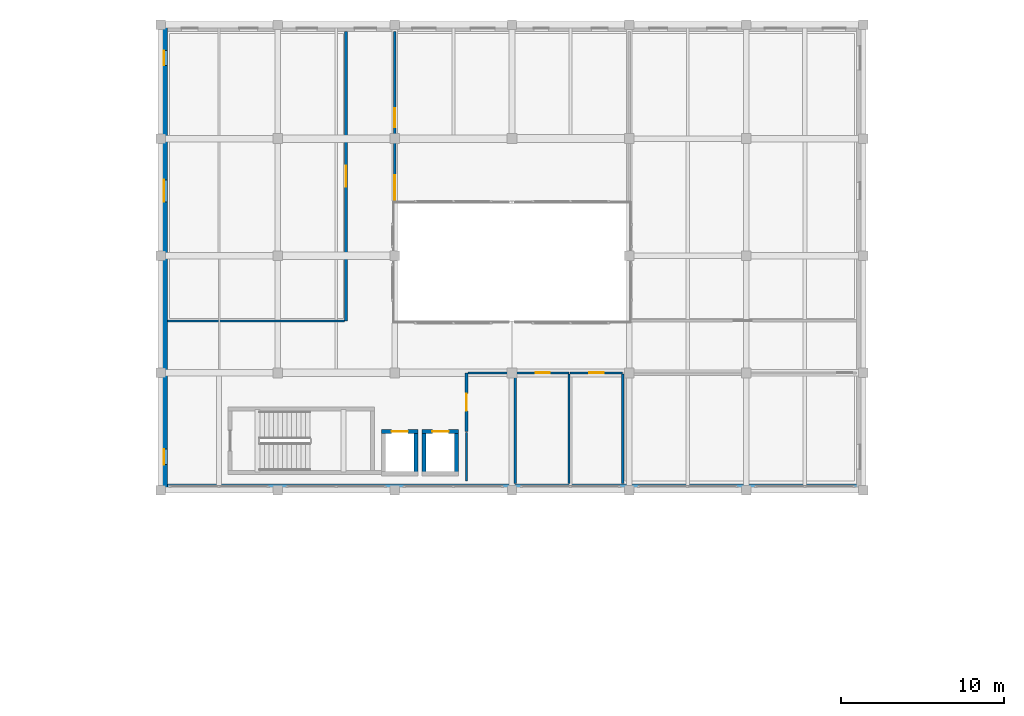
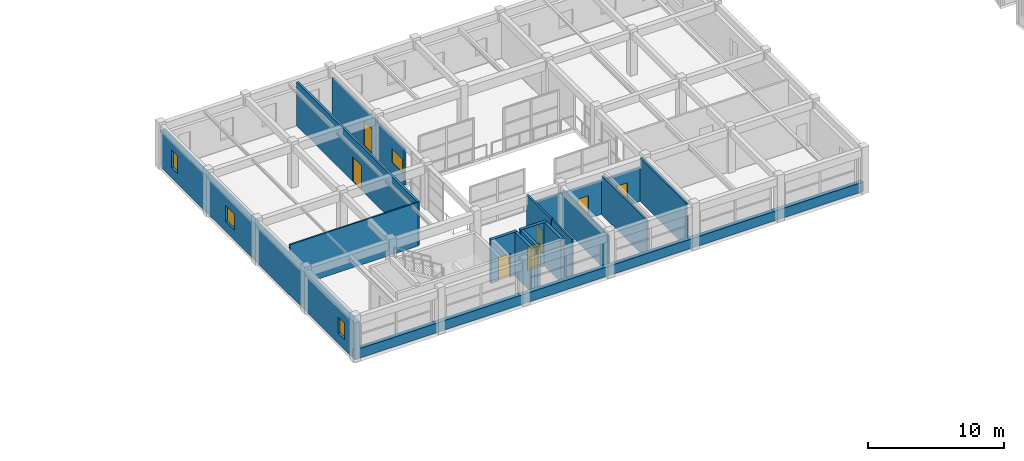
# One storey, part 32 of 49: 18 walls, 7 doors, 4 windows, 11 openings.
"""IFC4 building model written with IfcOpenShell, lengths in metres."""

import ifcopenshell
import ifcopenshell.guid

model = None  # the IFC model being written
_history = None  # IfcOwnerHistory: only IFC2X3 demands one
_inside = {}  # id of a spatial element -> (the spatial element, [elements in it])
_under = {}  # id of a project, library or spatial element -> (it, [spatial elements below it])
_declared = {}  # id of a project -> (the project, [libraries it declares])
_typed = {}  # id of a type object -> (the type object, [elements of that type])
_made_of = {}  # id of a material, layer set ... -> (it, [elements and type objects made of it])


def new_model(schema):
    """Start an empty IFC model of exactly this schema.

    Asked for "IFC4X3", IfcOpenShell would pick the latest addendum, in which some entities
    have other attributes; the version numbers below select the first issue.
    IFC2X3 requires an IfcOwnerHistory on every rooted entity: one is made here for all.
    """
    global model, _history
    if schema == "IFC4X3":
        model = ifcopenshell.file(schema_version=(4, 3, 0, 0))
    else:
        model = ifcopenshell.file(schema=schema)
    _inside.clear()
    _under.clear()
    _declared.clear()
    _typed.clear()
    _made_of.clear()
    _history = None
    if model.schema == "IFC2X3":
        org = make("IfcOrganization", Name="unknown")
        user = make(
            "IfcPersonAndOrganization",
            ThePerson=make("IfcPerson", FamilyName="unknown"),
            TheOrganization=org,
        )
        app = make(
            "IfcApplication",
            ApplicationDeveloper=org,
            Version="unknown",
            ApplicationFullName="unknown",
            ApplicationIdentifier="unknown",
        )
        _history = make(
            "IfcOwnerHistory",
            OwningUser=user,
            OwningApplication=app,
            ChangeAction="ADDED",
            CreationDate=0,
        )
    return model


def make(cls, **values):
    """One entity of the class cls with the attributes given. An attribute that is None is left unset."""
    return model.create_entity(
        cls, **{name: value for name, value in values.items() if value is not None}
    )


def rooted(cls, **values):
    """An entity with a GlobalId (a new one), such as an element, a storey or a relation."""
    return make(cls, GlobalId=ifcopenshell.guid.new(), OwnerHistory=_history, **values)


def si_unit(unit_type, name, prefix=None):
    """IfcSIUnit, for example si_unit("LENGTHUNIT", "METRE", prefix="MILLI")."""
    return make("IfcSIUnit", UnitType=unit_type, Prefix=prefix, Name=name)


def assignment(units):
    """IfcUnitAssignment: the units of a project."""
    return None if units is None else make("IfcUnitAssignment", Units=units)


def point(xyz):
    """IfcCartesianPoint."""
    return None if xyz is None else make("IfcCartesianPoint", Coordinates=xyz)


def direction(xyz):
    """IfcDirection."""
    return None if xyz is None else make("IfcDirection", DirectionRatios=xyz)


def frame(location, z_axis=None, x_axis=None):
    """IfcAxis2Placement3D, a coordinate frame: its origin and axes. An axis left out is left unset."""
    return make(
        "IfcAxis2Placement3D",
        Location=point(location),
        Axis=direction(z_axis),
        RefDirection=direction(x_axis),
    )


def frame_2d(location, x_axis=None):
    """IfcAxis2Placement2D, a coordinate frame in the plane: its origin and x axis."""
    return make(
        "IfcAxis2Placement2D", Location=point(location), RefDirection=direction(x_axis)
    )


def origin():
    """The frame at (0, 0, 0) with its axes left unset."""
    return frame((0.0, 0.0, 0.0))


def place(relative_to, where):
    """IfcLocalPlacement: puts the frame where relative to a parent placement (None: the world)."""
    return make(
        "IfcLocalPlacement", PlacementRelTo=relative_to, RelativePlacement=where
    )


def context(
    kind, dimensions, precision=None, world=None, true_north=None, identifier=None
):
    """IfcGeometricRepresentationContext, for example the 3D "Model" context."""
    return make(
        "IfcGeometricRepresentationContext",
        ContextIdentifier=identifier,
        ContextType=kind,
        CoordinateSpaceDimension=dimensions,
        Precision=precision,
        WorldCoordinateSystem=world,
        TrueNorth=true_north,
    )


def subcontext(parent, identifier, kind, view, scale=None):
    """IfcGeometricRepresentationSubContext, for example "Body" below "Model"."""
    return make(
        "IfcGeometricRepresentationSubContext",
        ContextIdentifier=identifier,
        ContextType=kind,
        ParentContext=parent,
        TargetScale=scale,
        TargetView=view,
    )


def project(units=None, contexts=None):
    """IfcProject with its units and contexts."""
    return rooted(
        "IfcProject",
        Name="project",
        RepresentationContexts=contexts,
        UnitsInContext=assignment(units),
    )


def spatial(cls, under=None, at=None, **own):
    """A site, building, storey or space (cls), placed at a placement, below another one or the project."""
    s = rooted(cls, ObjectPlacement=at, **own)
    if under is not None:
        _under.setdefault(under.id(), (under, []))[1].append(s)
    return s


def profile(cls, at=None, kind="AREA", **sizes):
    """A parametric profile (cls). Its sizes go by their IFC names, for example OverallWidth=200.0."""
    return make(cls, ProfileType=kind, Position=at, **sizes)


def rectangle(**sizes):
    """IfcRectangleProfileDef."""
    return profile("IfcRectangleProfileDef", **sizes)


def extrude(swept, where, along, depth):
    """IfcExtrudedAreaSolid: the profile swept, set in the frame where, extruded along a direction by depth."""
    return make(
        "IfcExtrudedAreaSolid",
        SweptArea=swept,
        Position=where,
        ExtrudedDirection=direction(along),
        Depth=depth,
    )


def shape(context_of_items, identifier, shape_type, items):
    """IfcShapeRepresentation: the items that make up one representation, for example the "Body"."""
    return make(
        "IfcShapeRepresentation",
        ContextOfItems=context_of_items,
        RepresentationIdentifier=identifier,
        RepresentationType=shape_type,
        Items=items,
    )


def material(Name=None, Category=None):
    """IfcMaterial."""
    return make("IfcMaterial", Name=Name, Category=Category)


def layer(
    of_material, thickness, ventilated=None, Name=None, Category=None, Priority=None
):
    """IfcMaterialLayer: one layer of a wall or slab, of a material (None: an air gap)."""
    return make(
        "IfcMaterialLayer",
        Material=of_material,
        LayerThickness=thickness,
        IsVentilated=ventilated,
        Name=Name,
        Category=Category,
        Priority=Priority,
    )


def layer_set(layers, Name=None):
    """IfcMaterialLayerSet."""
    return make("IfcMaterialLayerSet", MaterialLayers=layers, LayerSetName=Name)


def made_of(thing, what):
    """Note that an element or type object is made of a material, layer set ...; save() writes the relation."""
    if what is not None:
        _made_of.setdefault(what.id(), (what, []))[1].append(thing)
    return thing


def type_object(cls, material=None, **own):
    """A type object (cls), such as IfcWallType, which elements share."""
    return made_of(rooted(cls, **own), material)


def element(
    cls,
    number,
    at=None,
    inside=None,
    cuts=None,
    type_object=None,
    material=None,
    context=None,
    identifier="Body",
    shape_type=None,
    held_by="IfcProductDefinitionShape",
    body=None,
    shapes=None,
    **own,
):
    """One element of the class cls, such as IfcWall. Its Tag is "e" and its number.

    at: its placement. inside: the storey or other place that contains it. cuts: it is an
    opening in that element (IfcRelVoidsElement). A single representation is given by context,
    identifier, shape_type and body (its items); several are given by shapes. held_by: the class
    of the entity that holds the representations. save() writes the other relations.
    """
    e = rooted(cls, Tag="e%d" % number, ObjectPlacement=at, **own)
    if body is not None:
        shapes = [shape(context, identifier, shape_type, body)]
    if shapes is not None:
        e.Representation = make(held_by, Representations=shapes)
    if inside is not None:
        _inside.setdefault(inside.id(), (inside, []))[1].append(e)
    if cuts is not None:
        rooted(
            "IfcRelVoidsElement", RelatingBuildingElement=cuts, RelatedOpeningElement=e
        )
    if type_object is not None:
        _typed.setdefault(type_object.id(), (type_object, []))[1].append(e)
    return made_of(e, material)


def fill(opening, filler):
    """IfcRelFillsElement: the door or window that sits in an opening."""
    return rooted(
        "IfcRelFillsElement",
        RelatingOpeningElement=opening,
        RelatedBuildingElement=filler,
    )


def aggregate(whole, parts):
    """IfcRelAggregates: a whole, such as a stair, and the parts it consists of."""
    return rooted("IfcRelAggregates", RelatingObject=whole, RelatedObjects=parts)


def save(model, path):
    """Write the relations noted so far, then the file.

    IfcRelAggregates (storeys below a building ...), IfcRelContainedInSpatialStructure (elements
    in a storey), IfcRelDefinesByType, IfcRelAssociatesMaterial and IfcRelDeclares: one each for
    every whole, place, type object, material and project.
    """
    for whole, parts in _under.values():
        aggregate(whole, parts)
    for where, things in _inside.values():
        rooted(
            "IfcRelContainedInSpatialStructure",
            RelatedElements=things,
            RelatingStructure=where,
        )
    for kind, things in _typed.values():
        rooted("IfcRelDefinesByType", RelatedObjects=things, RelatingType=kind)
    for what, things in _made_of.values():
        rooted("IfcRelAssociatesMaterial", RelatedObjects=things, RelatingMaterial=what)
    for by, libraries in _declared.values():
        rooted("IfcRelDeclares", RelatingContext=by, RelatedDefinitions=libraries)
    model.write(path)


model = new_model("IFC4")

# Units and contexts
model_context = context("Model", 3, precision=1e-05, world=origin(), true_north=direction((0.0, 1.0)))
body_context = subcontext(model_context, "Body", "Model", "MODEL_VIEW")
ifc_project = project(units=[si_unit("LENGTHUNIT", "METRE"), si_unit("AREAUNIT", "SQUARE_METRE"), si_unit("VOLUMEUNIT", "CUBIC_METRE"), si_unit("PLANEANGLEUNIT", "RADIAN"), si_unit("MASSUNIT", "GRAM", prefix="KILO")], contexts=[model_context])

# Site, building, storey
site_placement = place(None, origin())
site = spatial("IfcSite", under=ifc_project, at=site_placement, CompositionType="ELEMENT")
building_placement = place(site_placement, origin())
building = spatial("IfcBuilding", under=site, at=building_placement, Name="Bramveld Media Centre", CompositionType="ELEMENT")
storey_placement = place(building_placement, frame((0.0, 0.0, 9.60009765625)))
storey = spatial("IfcBuildingStorey", under=building, at=storey_placement, Name="L02", CompositionType="ELEMENT", Elevation=9.60009765625)

# Wall, opening, door
ifc_material_1 = material(Name="Concrete C40/50 stair & lift core wall", Category="concrete")
ifc_layer_1 = layer(ifc_material_1, 0.25)
ifc_layer_set_1 = layer_set([ifc_layer_1], Name="Concrete C40/50 stair & lift core wall")
wall_type_1 = type_object("IfcWallType", Name="CWALL-SHEAR-250", PredefinedType="SHEAR", material=ifc_layer_set_1)
wall_1_placement = place(storey_placement, frame((81.425048828125, 94.0, 0.0), z_axis=(0.0, 0.0, 1.0), x_axis=(-1.0, 0.0, 0.0)))
wall_1 = element("IfcWall", 1, at=wall_1_placement, inside=storey, type_object=wall_type_1, Name="PL-04 L02 lift shaft wall N", PredefinedType="SHEAR", context=body_context, shape_type="SweptSolid", body=[
    extrude(rectangle(XDim=2.25, YDim=0.25, at=frame_2d((1.125, 0.0))), origin(), (0.0, 0.0, 1.0), 3.919921875),
])
opening_1_placement = place(wall_1_placement, frame((0.625, 0.0, 0.0)))
opening_1 = element("IfcOpeningElement", 2, at=opening_1_placement, cuts=wall_1, Name="Opening LD-02-04-L02", PredefinedType="OPENING", context=body_context, shape_type="SweptSolid", body=[
    extrude(rectangle(XDim=1.0, YDim=2.14990234375, at=frame_2d((0.5, 1.074951171875))), frame((0.0, 0.136962890625, 0.0), z_axis=(0.0, -1.0, 0.0), x_axis=(1.0, 0.0, 0.0)), (0.0, 0.0, 1.0), 0.27392578125),
])
ifc_material_2 = material(Name="Brushed stainless steel automatic fire-rated sliding lift landing door", Category="steel")
door_type_1 = type_object("IfcDoorType", Name="LD-TYPE-02", OperationType="SLIDING_TO_LEFT", PredefinedType="DOOR", material=ifc_material_2)
door_1_placement = place(opening_1_placement, origin())
door_1 = element("IfcDoor", 3, at=door_1_placement, inside=storey, type_object=door_type_1, Name="PL-04 L02 sliding lift landing door", OperationType="SLIDING_TO_LEFT", OverallHeight=2.14990234375, OverallWidth=1.0, PredefinedType="DOOR", context=body_context, shape_type="SweptSolid", body=[
    extrude(rectangle(XDim=1.0, YDim=2.14990234375, at=frame_2d((0.5, 1.074951171875))), frame((0.0, 0.02490234375, 0.0), z_axis=(0.0, -1.0, 0.0), x_axis=(1.0, 0.0, 0.0)), (0.0, 0.0, 1.0), 0.050048828125),
])
fill(opening_1, door_1)

# Wall
wall_2_placement = place(storey_placement, frame((81.300048828125, 91.39990234375, 0.0), z_axis=(0.0, 0.0, 1.0), x_axis=(0.0, 1.0, 0.0)))
element("IfcWall", 4, at=wall_2_placement, inside=storey, type_object=wall_type_1, Name="PL-04 L02 lift shaft wall E", PredefinedType="SHEAR", context=body_context, shape_type="SweptSolid", body=[
    extrude(rectangle(XDim=2.60009765625, YDim=0.25, at=frame_2d((1.300048828125, 0.0))), origin(), (0.0, 0.0, 1.0), 3.919921875),
])

# Wall, opening, door
wall_3_placement = place(storey_placement, frame((83.925048828125, 94.0, 0.0), z_axis=(0.0, 0.0, 1.0), x_axis=(-1.0, 0.0, 0.0)))
wall_3 = element("IfcWall", 5, at=wall_3_placement, inside=storey, type_object=wall_type_1, Name="PL-03 L02 lift shaft wall N", PredefinedType="SHEAR", context=body_context, shape_type="SweptSolid", body=[
    extrude(rectangle(XDim=2.25, YDim=0.25, at=frame_2d((1.125, 0.0))), origin(), (0.0, 0.0, 1.0), 3.919921875),
])
opening_2_placement = place(wall_3_placement, frame((0.625, 0.0, 0.0)))
opening_2 = element("IfcOpeningElement", 6, at=opening_2_placement, cuts=wall_3, Name="Opening LD-02-03-L02", PredefinedType="OPENING", context=body_context, shape_type="SweptSolid", body=[
    extrude(rectangle(XDim=1.0, YDim=2.14990234375, at=frame_2d((0.5, 1.074951171875))), frame((0.0, 0.136962890625, 0.0), z_axis=(0.0, -1.0, 0.0), x_axis=(1.0, 0.0, 0.0)), (0.0, 0.0, 1.0), 0.27392578125),
])
door_2_placement = place(opening_2_placement, origin())
door_2 = element("IfcDoor", 7, at=door_2_placement, inside=storey, type_object=door_type_1, Name="PL-03 L02 sliding lift landing door", OperationType="SLIDING_TO_LEFT", OverallHeight=2.14990234375, OverallWidth=1.0, PredefinedType="DOOR", context=body_context, shape_type="SweptSolid", body=[
    extrude(rectangle(XDim=1.0, YDim=2.14990234375, at=frame_2d((0.5, 1.074951171875))), frame((0.0, 0.02490234375, 0.0), z_axis=(0.0, -1.0, 0.0), x_axis=(1.0, 0.0, 0.0)), (0.0, 0.0, 1.0), 0.050048828125),
])
fill(opening_2, door_2)

# Walls
for number, where, z_axis, x_axis, name in (
    (8, (81.800048828125, 94.0, 0.0), (0.0, 0.0, 1.0), (0.0, -1.0, 0.0), "PL-03 L02 lift shaft wall W"),
    (9, (83.800048828125, 91.39990234375, 0.0), (0.0, 0.0, 1.0), (0.0, 1.0, 0.0), "PL-03 L02 lift shaft wall E"),
):
    element("IfcWall", number, at=place(storey_placement, frame(where, z_axis=z_axis, x_axis=x_axis)), inside=storey, type_object=wall_type_1, Name=name, PredefinedType="SHEAR", context=body_context, shape_type="SweptSolid", body=[
        extrude(rectangle(XDim=2.60009765625, YDim=0.25, at=frame_2d((1.300048828125, 0.0))), origin(), (0.0, 0.0, 1.0), 3.919921875),
    ])
ifc_material_3 = material(Name="Perforated acoustic brick-faced insulated spandrel wall", Category="masonry")
ifc_layer_2 = layer(ifc_material_3, 0.35009765625)
ifc_layer_set_2 = layer_set([ifc_layer_2], Name="Perforated acoustic brick-faced insulated spandrel wall")
wall_type_2 = type_object("IfcWallType", Name="EW-BRK-350", PredefinedType="SOLIDWALL", material=ifc_layer_set_2)
wall_4_placement = place(storey_placement, frame((108.800048828125, 90.610107421875, 0.0), z_axis=(0.0, 0.0, 1.0), x_axis=(-1.0, 0.0, 0.0)))
element("IfcWall", 10, at=wall_4_placement, inside=storey, type_object=wall_type_2, Name="V6 L02 S masonry spandrel sill wall", PredefinedType="SOLIDWALL", context=body_context, shape_type="SweptSolid", body=[
    extrude(rectangle(XDim=43.199951171875, YDim=0.35009765625, at=frame_2d((21.60009765625, 0.0))), origin(), (0.0, 0.0, 1.0), 0.849853515625),
])

# Wall, openings, windows
ifc_material_4 = material(Name="Flemish red-brown clay facing brick cavity wall with concrete C35/45 inner leaf", Category="masonry")
ifc_layer_3 = layer(ifc_material_4, 0.419921875)
ifc_layer_set_3 = layer_set([ifc_layer_3], Name="Flemish red-brown clay facing brick cavity wall with concrete C35/45 inner leaf")
wall_type_3 = type_object("IfcWallType", Name="EW-BRK-420", PredefinedType="SOLIDWALL", material=ifc_layer_set_3)
wall_5_placement = place(storey_placement, frame((65.81005859375, 90.39990234375, 0.0), z_axis=(0.0, 0.0, 1.0), x_axis=(0.0, 1.0, 0.0)))
wall_5 = element("IfcWall", 11, at=wall_5_placement, inside=storey, type_object=wall_type_3, Name="V6 L02 W facing brick exterior wall", PredefinedType="SOLIDWALL", context=body_context, shape_type="SweptSolid", body=[
    extrude(rectangle(XDim=28.60009765625, YDim=0.419921875, at=frame_2d((14.300048828125, 0.0))), origin(), (0.0, 0.0, 1.0), 3.31494140625),
])
opening_3_placement = place(wall_5_placement, frame((1.56787109375, 0.0, 0.89990234375)))
opening_3 = element("IfcOpeningElement", 12, at=opening_3_placement, cuts=wall_5, Name="Opening W-07", PredefinedType="OPENING", context=body_context, shape_type="SweptSolid", body=[
    extrude(rectangle(XDim=0.949951171875, YDim=1.449951171875, at=frame_2d((0.47509765625, 0.72509765625))), frame((0.0, 0.221923828125, 0.0), z_axis=(0.0, -1.0, 0.0), x_axis=(1.0, 0.0, 0.0)), (0.0, 0.0, 1.0), 0.44384765625),
])
opening_4_placement = place(wall_5_placement, frame((17.710693359375, 0.0, 0.89990234375)))
opening_4 = element("IfcOpeningElement", 13, at=opening_4_placement, cuts=wall_5, Name="Opening W-11", PredefinedType="OPENING", context=body_context, shape_type="SweptSolid", body=[
    extrude(rectangle(XDim=1.35009765625, YDim=1.449951171875, at=frame_2d((0.675048828125, 0.72509765625))), frame((0.0, 0.221923828125, 0.0), z_axis=(0.0, -1.0, 0.0), x_axis=(1.0, 0.0, 0.0)), (0.0, 0.0, 1.0), 0.44384765625),
])
opening_5_placement = place(wall_5_placement, frame((26.107177734375, 0.0, 0.89990234375)))
opening_5 = element("IfcOpeningElement", 14, at=opening_5_placement, cuts=wall_5, Name="Opening W-13", PredefinedType="OPENING", context=body_context, shape_type="SweptSolid", body=[
    extrude(rectangle(XDim=0.89990234375, YDim=1.60009765625, at=frame_2d((0.449951171875, 0.800048828125))), frame((0.0, 0.221923828125, 0.0), z_axis=(0.0, -1.0, 0.0), x_axis=(1.0, 0.0, 0.0)), (0.0, 0.0, 1.0), 0.44384765625),
])
ifc_material_5 = material(Name="Thermally broken anodized bronze aluminium frame with triple acoustic glazing", Category="aluminium")
window_type_1 = type_object("IfcWindowType", Name="WIN-FAC-07", PartitioningType="SINGLE_PANEL", PredefinedType="WINDOW", material=ifc_material_5)
window_1_placement = place(opening_3_placement, origin())
window_1 = element("IfcWindow", 15, at=window_1_placement, inside=storey, type_object=window_type_1, Name="V6 L02 W acoustic facade window", OverallHeight=1.449951171875, OverallWidth=0.949951171875, PartitioningType="SINGLE_PANEL", PredefinedType="WINDOW", context=body_context, shape_type="SweptSolid", body=[
    extrude(rectangle(XDim=0.949951171875, YDim=1.449951171875, at=frame_2d((0.47509765625, 0.72509765625))), frame((0.0, 0.030029296875, 0.0), z_axis=(0.0, -1.0, 0.0), x_axis=(1.0, 0.0, 0.0)), (0.0, 0.0, 1.0), 0.06005859375),
])
fill(opening_3, window_1)
ifc_material_6 = material(Name="Thermally broken anodized bronze aluminium frame with triple acoustic glazing", Category="aluminium")
window_type_2 = type_object("IfcWindowType", Name="WIN-FAC-11", PartitioningType="SINGLE_PANEL", PredefinedType="WINDOW", material=ifc_material_6)
window_2_placement = place(opening_4_placement, origin())
window_2 = element("IfcWindow", 16, at=window_2_placement, inside=storey, type_object=window_type_2, Name="V6 L02 W acoustic facade window", OverallHeight=1.449951171875, OverallWidth=1.35009765625, PartitioningType="SINGLE_PANEL", PredefinedType="WINDOW", context=body_context, shape_type="SweptSolid", body=[
    extrude(rectangle(XDim=1.35009765625, YDim=1.449951171875, at=frame_2d((0.675048828125, 0.72509765625))), frame((0.0, 0.030029296875, 0.0), z_axis=(0.0, -1.0, 0.0), x_axis=(1.0, 0.0, 0.0)), (0.0, 0.0, 1.0), 0.06005859375),
])
fill(opening_4, window_2)
ifc_material_7 = material(Name="Thermally broken anodized bronze aluminium frame with triple acoustic glazing", Category="aluminium")
window_type_3 = type_object("IfcWindowType", Name="WIN-FAC-13", PartitioningType="SINGLE_PANEL", PredefinedType="WINDOW", material=ifc_material_7)
window_3_placement = place(opening_5_placement, origin())
window_3 = element("IfcWindow", 17, at=window_3_placement, inside=storey, type_object=window_type_3, Name="V6 L02 W acoustic facade window", OverallHeight=1.60009765625, OverallWidth=0.89990234375, PartitioningType="SINGLE_PANEL", PredefinedType="WINDOW", context=body_context, shape_type="SweptSolid", body=[
    extrude(rectangle(XDim=0.89990234375, YDim=1.60009765625, at=frame_2d((0.449951171875, 0.800048828125))), frame((0.0, 0.030029296875, 0.0), z_axis=(0.0, -1.0, 0.0), x_axis=(1.0, 0.0, 0.0)), (0.0, 0.0, 1.0), 0.06005859375),
])
fill(opening_5, window_3)

# Wall, opening, door
ifc_material_8 = material(Name="Fire-rated twin-frame gypsum corridor wall", Category="gypsum")
ifc_layer_4 = layer(ifc_material_8, 0.179931640625)
ifc_layer_set_4 = layer_set([ifc_layer_4], Name="Fire-rated twin-frame gypsum corridor wall")
wall_type_4 = type_object("IfcWallType", Name="IW-FIRE-180", PredefinedType="PARTITIONING", material=ifc_layer_set_4)
wall_6_placement = place(storey_placement, frame((84.39990234375, 94.0, 0.0), z_axis=(0.0, 0.0, 1.0), x_axis=(0.0, 1.0, 0.0)))
wall_6 = element("IfcWall", 18, at=wall_6_placement, inside=storey, type_object=wall_type_4, Name="Exhibition Lift Lobby L02 partition wall", PredefinedType="PARTITIONING", context=body_context, shape_type="SweptSolid", body=[
    extrude(rectangle(XDim=3.60009765625, YDim=0.179931640625, at=frame_2d((1.800048828125, 0.0))), origin(), (0.0, 0.0, 1.0), 3.919921875),
])
opening_6_placement = place(wall_6_placement, frame((1.27001953125, 0.0, 0.0)))
opening_6 = element("IfcOpeningElement", 19, at=opening_6_placement, cuts=wall_6, Name="Opening D-02-125", PredefinedType="OPENING", context=body_context, shape_type="SweptSolid", body=[
    extrude(rectangle(XDim=1.06005859375, YDim=2.10009765625, at=frame_2d((0.530029296875, 1.050048828125))), frame((0.0, 0.10205078125, 0.0), z_axis=(0.0, -1.0, 0.0), x_axis=(1.0, 0.0, 0.0)), (0.0, 0.0, 1.0), 0.203857421875),
])
ifc_material_9 = material(Name="Solid-core European oak acoustic timber leaf in steel frame", Category="steel")
door_type_2 = type_object("IfcDoorType", Name="DR-WC-PMR-1060", OperationType="NOTDEFINED", PredefinedType="DOOR", material=ifc_material_9)
door_3_placement = place(opening_6_placement, origin())
door_3 = element("IfcDoor", 20, at=door_3_placement, inside=storey, type_object=door_type_2, Name="Accessible WC entrance door", OperationType="SINGLE_SWING_RIGHT", OverallHeight=2.10009765625, OverallWidth=1.06005859375, PredefinedType="DOOR", context=body_context, shape_type="SweptSolid", body=[
    extrude(rectangle(XDim=1.06005859375, YDim=2.10009765625, at=frame_2d((0.530029296875, 1.050048828125))), frame((0.0, 0.02490234375, 0.0), z_axis=(0.0, -1.0, 0.0), x_axis=(1.0, 0.0, 0.0)), (0.0, 0.0, 1.0), 0.050048828125),
])
fill(opening_6, door_3)

wall_7_placement = place(storey_placement, frame((77.0, 100.800048828125, 0.0), z_axis=(0.0, 0.0, 1.0), x_axis=(0.0, 1.0, 0.0)))
wall_7 = element("IfcWall", 21, at=wall_7_placement, inside=storey, type_object=wall_type_4, Name="West Sound Lab Corridor partition wall", PredefinedType="PARTITIONING", context=body_context, shape_type="SweptSolid", body=[
    extrude(rectangle(XDim=17.77001953125, YDim=0.179931640625, at=frame_2d((8.885009765625, 0.0))), origin(), (0.0, 0.0, 1.0), 3.919921875),
])
opening_7_placement = place(wall_7_placement, frame((8.2451171875, 0.0, 0.0)))
opening_7 = element("IfcOpeningElement", 22, at=opening_7_placement, cuts=wall_7, Name="Opening D-02-129", PredefinedType="OPENING", context=body_context, shape_type="SweptSolid", body=[
    extrude(rectangle(XDim=1.280029296875, YDim=2.199951171875, at=frame_2d((0.64013671875, 1.10009765625))), frame((0.0, 0.10205078125, 0.0), z_axis=(0.0, -1.0, 0.0), x_axis=(1.0, 0.0, 0.0)), (0.0, 0.0, 1.0), 0.203857421875),
])
ifc_material_10 = material(Name="Fire-rated acoustic timber & steel composite door", Category="steel")
door_type_3 = type_object("IfcDoorType", Name="DR-STU-1280", OperationType="NOTDEFINED", PredefinedType="DOOR", material=ifc_material_10)
door_4_placement = place(opening_7_placement, origin())
door_4 = element("IfcDoor", 23, at=door_4_placement, inside=storey, type_object=door_type_3, Name="Electro-Acoustic Synthesis Studio 1 entrance door", OperationType="SINGLE_SWING_RIGHT", OverallHeight=2.199951171875, OverallWidth=1.280029296875, PredefinedType="DOOR", context=body_context, shape_type="SweptSolid", body=[
    extrude(rectangle(XDim=1.280029296875, YDim=2.199951171875, at=frame_2d((0.64013671875, 1.10009765625))), frame((0.0, 0.02490234375, 0.0), z_axis=(0.0, -1.0, 0.0), x_axis=(1.0, 0.0, 0.0)), (0.0, 0.0, 1.0), 0.050048828125),
])
fill(opening_7, door_4)

# Wall
ifc_material_11 = material(Name="Lightweight acoustic stud partition", Category="gypsum")
ifc_layer_5 = layer(ifc_material_11, 0.125)
ifc_layer_set_5 = layer_set([ifc_layer_5], Name="Lightweight acoustic stud partition")
wall_type_5 = type_object("IfcWallType", Name="IW-PART-125", PredefinedType="PARTITIONING", material=ifc_layer_set_5)
wall_8_placement = place(storey_placement, frame((66.030029296875, 100.800048828125, 0.0), z_axis=(0.0, 0.0, 1.0), x_axis=(1.0, 0.0, 0.0)))
element("IfcWall", 24, at=wall_8_placement, inside=storey, type_object=wall_type_5, Name="Electro-Acoustic Synthesis Studio 1 partition wall", PredefinedType="PARTITIONING", context=body_context, shape_type="SweptSolid", body=[
    extrude(rectangle(XDim=10.869873046875, YDim=0.125, at=frame_2d((5.43505859375, 0.0))), origin(), (0.0, 0.0, 1.0), 3.919921875),
])

# Wall, openings, door, window
ifc_material_12 = material(Name="Insulated metal-stud gypsum room partition", Category="gypsum")
ifc_layer_6 = layer(ifc_material_12, 0.14990234375)
ifc_layer_set_6 = layer_set([ifc_layer_6], Name="Insulated metal-stud gypsum room partition")
wall_type_6 = type_object("IfcWallType", Name="IW-PART-150", PredefinedType="PARTITIONING", material=ifc_layer_set_6)
wall_9_placement = place(storey_placement, frame((80.0, 108.0, 0.0), z_axis=(0.0, 0.0, 1.0), x_axis=(0.0, 1.0, 0.0)))
wall_9 = element("IfcWall", 25, at=wall_9_placement, inside=storey, type_object=wall_type_6, Name="Modular Sound Lab & Patch Bay partition wall", PredefinedType="PARTITIONING", context=body_context, shape_type="SweptSolid", body=[
    extrude(rectangle(XDim=10.570068359375, YDim=0.14990234375, at=frame_2d((5.28515625, 0.0))), origin(), (0.0, 0.0, 1.0), 3.294921875),
])
opening_8_placement = place(wall_9_placement, frame((4.695068359375, 0.0, 0.0)))
opening_8 = element("IfcOpeningElement", 26, at=opening_8_placement, cuts=wall_9, Name="Opening D-02-130", PredefinedType="OPENING", context=body_context, shape_type="SweptSolid", body=[
    extrude(rectangle(XDim=1.179931640625, YDim=2.199951171875, at=frame_2d((0.58984375, 1.10009765625))), frame((0.0, 0.0869140625, 0.0), z_axis=(0.0, -1.0, 0.0), x_axis=(1.0, 0.0, 0.0)), (0.0, 0.0, 1.0), 0.173828125),
])
opening_9_placement = place(wall_9_placement, frame((0.25, 0.0, 1.0)))
opening_9 = element("IfcOpeningElement", 27, at=opening_9_placement, cuts=wall_9, Name="Opening IW-W4", PredefinedType="OPENING", context=body_context, shape_type="SweptSolid", body=[
    extrude(rectangle(XDim=1.5, YDim=1.199951171875, at=frame_2d((0.75, 0.60009765625))), frame((0.0, 0.0869140625, 0.0), z_axis=(0.0, -1.0, 0.0), x_axis=(1.0, 0.0, 0.0)), (0.0, 0.0, 1.0), 0.173828125),
])
ifc_material_13 = material(Name="Fire-rated acoustic timber & steel composite door", Category="steel")
door_type_4 = type_object("IfcDoorType", Name="DR-STU-1180", OperationType="NOTDEFINED", PredefinedType="DOOR", material=ifc_material_13)
door_5_placement = place(opening_8_placement, origin())
door_5 = element("IfcDoor", 28, at=door_5_placement, inside=storey, type_object=door_type_4, Name="Modular Sound Lab & Patch Bay entrance door", OperationType="SINGLE_SWING_LEFT", OverallHeight=2.199951171875, OverallWidth=1.179931640625, PredefinedType="DOOR", context=body_context, shape_type="SweptSolid", body=[
    extrude(rectangle(XDim=1.179931640625, YDim=2.199951171875, at=frame_2d((0.58984375, 1.10009765625))), frame((0.0, 0.02490234375, 0.0), z_axis=(0.0, -1.0, 0.0), x_axis=(1.0, 0.0, 0.0)), (0.0, 0.0, 1.0), 0.050048828125),
])
fill(opening_8, door_5)
ifc_material_14 = material(Name="Triple-glazed angled studio acoustic control-room observation window")
window_type_4 = type_object("IfcWindowType", Name="WIN-INT-OBS-04", PartitioningType="SINGLE_PANEL", PredefinedType="WINDOW", material=ifc_material_14)
window_4_placement = place(opening_9_placement, origin())
window_4 = element("IfcWindow", 29, at=window_4_placement, inside=storey, type_object=window_type_4, Name="Modular Sound Lab & Patch Bay acoustic observation window", OverallHeight=1.199951171875, OverallWidth=1.5, PartitioningType="SINGLE_PANEL", PredefinedType="WINDOW", context=body_context, shape_type="SweptSolid", body=[
    extrude(rectangle(XDim=1.5, YDim=1.199951171875, at=frame_2d((0.75, 0.60009765625))), frame((0.0, 0.030029296875, 0.0), z_axis=(0.0, -1.0, 0.0), x_axis=(1.0, 0.0, 0.0)), (0.0, 0.0, 1.0), 0.06005859375),
])
fill(opening_9, window_4)

# Walls
ifc_material_15 = material(Name="Moisture-resistant cement-board sanitary partition", Category="gypsum")
ifc_layer_7 = layer(ifc_material_15, 0.139892578125)
ifc_layer_set_7 = layer_set([ifc_layer_7], Name="Moisture-resistant cement-board sanitary partition")
wall_type_7 = type_object("IfcWallType", Name="IW-WET-140", PredefinedType="PARTITIONING", material=ifc_layer_set_7)
wall_10_placement = place(storey_placement, frame((84.5, 97.60009765625, 0.0), z_axis=(0.0, 0.0, 1.0), x_axis=(1.0, 0.0, 0.0)))
element("IfcWall", 30, at=wall_10_placement, inside=storey, type_object=wall_type_7, Name="Accessible WC partition wall", PredefinedType="PARTITIONING", context=body_context, shape_type="SweptSolid", body=[
    extrude(rectangle(XDim=2.89990234375, YDim=0.139892578125, at=frame_2d((1.449951171875, 0.0))), origin(), (0.0, 0.0, 1.0), 3.094970703125),
])
wall_11_placement = place(storey_placement, frame((87.39990234375, 90.800048828125, 0.0), z_axis=(0.0, 0.0, 1.0), x_axis=(0.0, 1.0, 0.0)))
element("IfcWall", 31, at=wall_11_placement, inside=storey, type_object=wall_type_7, Name="Accessible WC partition wall", PredefinedType="PARTITIONING", context=body_context, shape_type="SweptSolid", body=[
    extrude(rectangle(XDim=6.719970703125, YDim=0.139892578125, at=frame_2d((3.35986328125, 0.0))), origin(), (0.0, 0.0, 1.0), 3.294921875),
])

# Wall, opening, door
wall_12_placement = place(storey_placement, frame((87.47998046875, 97.60009765625, 0.0), z_axis=(0.0, 0.0, 1.0), x_axis=(1.0, 0.0, 0.0)))
wall_12 = element("IfcWall", 32, at=wall_12_placement, inside=storey, type_object=wall_type_7, Name="Male WC partition wall", PredefinedType="PARTITIONING", context=body_context, shape_type="SweptSolid", body=[
    extrude(rectangle(XDim=3.219970703125, YDim=0.139892578125, at=frame_2d((1.60986328125, 0.0))), origin(), (0.0, 0.0, 1.0), 3.044921875),
])
opening_10_placement = place(wall_12_placement, frame((1.1650390625, 0.0, 0.0)))
opening_10 = element("IfcOpeningElement", 33, at=opening_10_placement, cuts=wall_12, Name="Opening D-02-126", PredefinedType="OPENING", context=body_context, shape_type="SweptSolid", body=[
    extrude(rectangle(XDim=0.889892578125, YDim=2.050048828125, at=frame_2d((0.44482421875, 1.02490234375))), frame((0.0, 0.08203125, 0.0), z_axis=(0.0, -1.0, 0.0), x_axis=(1.0, 0.0, 0.0)), (0.0, 0.0, 1.0), 0.163818359375),
])
ifc_material_16 = material(Name="Solid-core European oak acoustic timber leaf in steel frame", Category="steel")
door_type_5 = type_object("IfcDoorType", Name="DR-WC-0890", OperationType="NOTDEFINED", PredefinedType="DOOR", material=ifc_material_16)
door_6_placement = place(opening_10_placement, origin())
door_6 = element("IfcDoor", 34, at=door_6_placement, inside=storey, type_object=door_type_5, Name="Male WC entrance door", OperationType="SINGLE_SWING_LEFT", OverallHeight=2.050048828125, OverallWidth=0.889892578125, PredefinedType="DOOR", context=body_context, shape_type="SweptSolid", body=[
    extrude(rectangle(XDim=0.889892578125, YDim=2.050048828125, at=frame_2d((0.44482421875, 1.02490234375))), frame((0.0, 0.02490234375, 0.0), z_axis=(0.0, -1.0, 0.0), x_axis=(1.0, 0.0, 0.0)), (0.0, 0.0, 1.0), 0.050048828125),
])
fill(opening_10, door_6)

# Wall
wall_13_placement = place(storey_placement, frame((90.699951171875, 90.800048828125, 0.0), z_axis=(0.0, 0.0, 1.0), x_axis=(0.0, 1.0, 0.0)))
element("IfcWall", 35, at=wall_13_placement, inside=storey, type_object=wall_type_7, Name="Male WC partition wall", PredefinedType="PARTITIONING", context=body_context, shape_type="SweptSolid", body=[
    extrude(rectangle(XDim=6.719970703125, YDim=0.139892578125, at=frame_2d((3.35986328125, 0.0))), origin(), (0.0, 0.0, 1.0), 3.494873046875),
])

# Wall, opening, door
wall_14_placement = place(storey_placement, frame((90.780029296875, 97.60009765625, 0.0), z_axis=(0.0, 0.0, 1.0), x_axis=(1.0, 0.0, 0.0)))
wall_14 = element("IfcWall", 36, at=wall_14_placement, inside=storey, type_object=wall_type_7, Name="Female WC partition wall", PredefinedType="PARTITIONING", context=body_context, shape_type="SweptSolid", body=[
    extrude(rectangle(XDim=3.219970703125, YDim=0.139892578125, at=frame_2d((1.60986328125, 0.0))), origin(), (0.0, 0.0, 1.0), 3.044921875),
])
opening_11_placement = place(wall_14_placement, frame((1.155029296875, 0.0, 0.0)))
opening_11 = element("IfcOpeningElement", 37, at=opening_11_placement, cuts=wall_14, Name="Opening D-02-127", PredefinedType="OPENING", context=body_context, shape_type="SweptSolid", body=[
    extrude(rectangle(XDim=0.909912109375, YDim=2.06005859375, at=frame_2d((0.455078125, 1.030029296875))), frame((0.0, 0.08203125, 0.0), z_axis=(0.0, -1.0, 0.0), x_axis=(1.0, 0.0, 0.0)), (0.0, 0.0, 1.0), 0.163818359375),
])
ifc_material_17 = material(Name="Solid-core European oak acoustic timber leaf in steel frame", Category="steel")
door_type_6 = type_object("IfcDoorType", Name="DR-WC-0910", OperationType="NOTDEFINED", PredefinedType="DOOR", material=ifc_material_17)
door_7_placement = place(opening_11_placement, origin())
door_7 = element("IfcDoor", 38, at=door_7_placement, inside=storey, type_object=door_type_6, Name="Female WC entrance door", OperationType="SINGLE_SWING_RIGHT", OverallHeight=2.06005859375, OverallWidth=0.909912109375, PredefinedType="DOOR", context=body_context, shape_type="SweptSolid", body=[
    extrude(rectangle(XDim=0.909912109375, YDim=2.06005859375, at=frame_2d((0.455078125, 1.030029296875))), frame((0.0, 0.02490234375, 0.0), z_axis=(0.0, -1.0, 0.0), x_axis=(1.0, 0.0, 0.0)), (0.0, 0.0, 1.0), 0.050048828125),
])
fill(opening_11, door_7)

# Walls
wall_15_placement = place(storey_placement, frame((94.0, 90.800048828125, 0.0), z_axis=(0.0, 0.0, 1.0), x_axis=(0.0, 1.0, 0.0)))
element("IfcWall", 39, at=wall_15_placement, inside=storey, type_object=wall_type_7, Name="Female WC partition wall", PredefinedType="PARTITIONING", context=body_context, shape_type="SweptSolid", body=[
    extrude(rectangle(XDim=6.719970703125, YDim=0.139892578125, at=frame_2d((3.35986328125, 0.0))), origin(), (0.0, 0.0, 1.0), 3.919921875),
])
wall_16_placement = place(storey_placement, frame((84.39990234375, 90.949951171875, 0.0), z_axis=(0.0, 0.0, 1.0), x_axis=(0.0, 1.0, 0.0)))
element("IfcWall", 40, at=wall_16_placement, inside=storey, type_object=wall_type_7, Name="Accessible WC partition wall", PredefinedType="PARTITIONING", context=body_context, shape_type="SweptSolid", body=[
    extrude(rectangle(XDim=3.0, YDim=0.139892578125, at=frame_2d((1.5, 0.0))), origin(), (0.0, 0.0, 1.0), 3.919921875),
])

save(model, "model.ifc")
